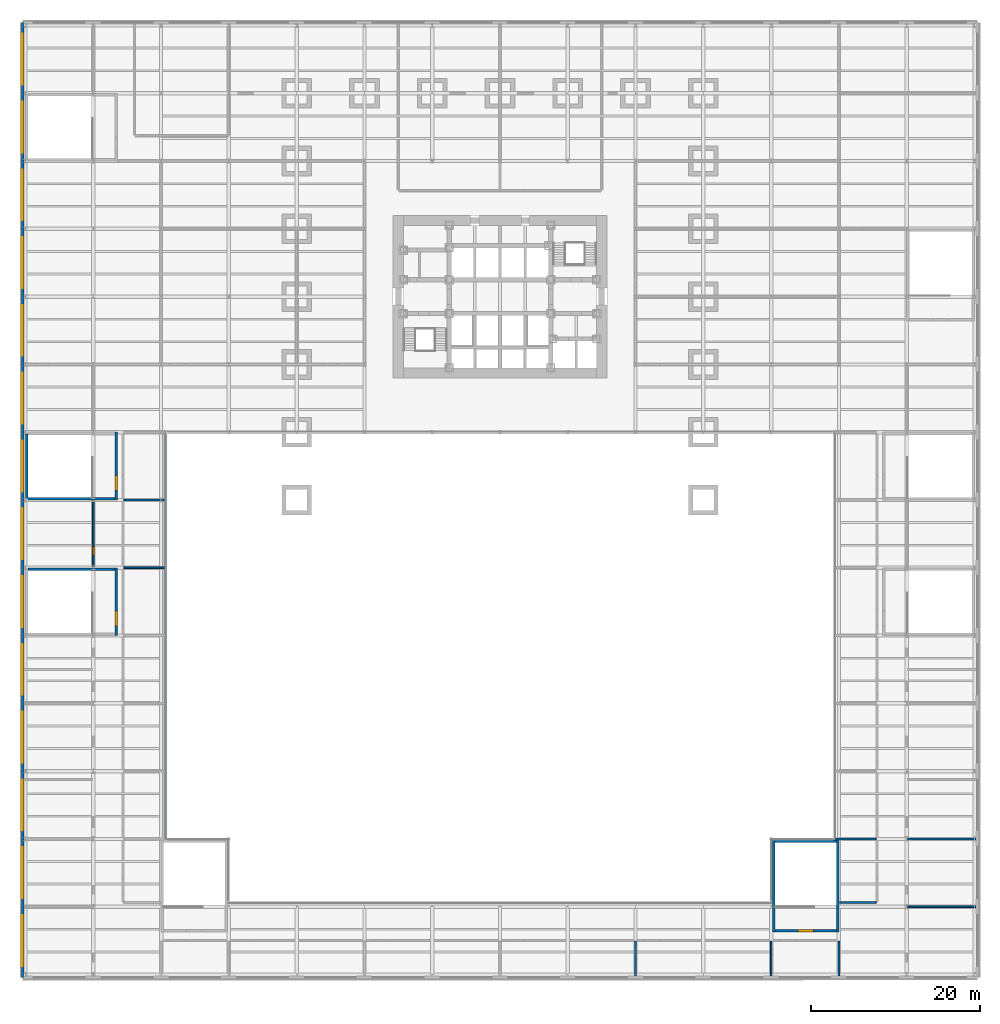
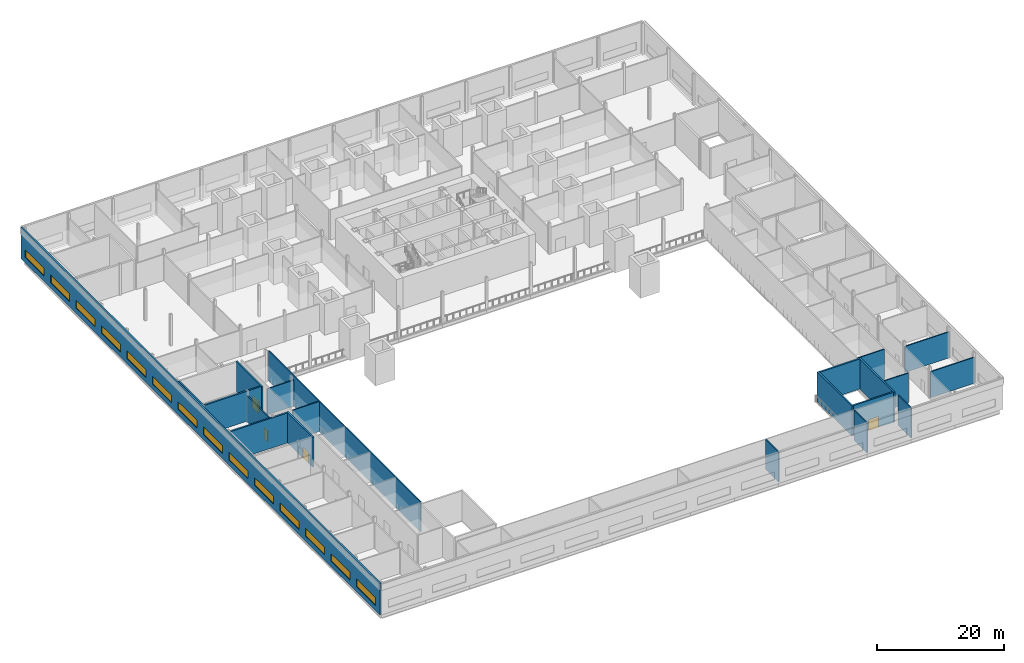
# One storey, part 12 of 21: 21 walls, 14 windows, 4 doors, 18 openings.
"""IFC4 building model written with IfcOpenShell, lengths in metres."""

from ifc_helpers import new_model, si_unit, direction, frame, frame_2d, origin, place, context, subcontext, project, spatial, rectangle, extrude, material, layer, layer_set, type_object, element, fill, save


model = new_model("IFC4")

# Units and contexts
model_context = context("Model", 3, precision=1e-05, world=origin(), true_north=direction((0.0, 1.0)))
body_context = subcontext(model_context, "Body", "Model", "MODEL_VIEW")
ifc_project = project(units=[si_unit("LENGTHUNIT", "METRE"), si_unit("AREAUNIT", "SQUARE_METRE"), si_unit("VOLUMEUNIT", "CUBIC_METRE"), si_unit("PLANEANGLEUNIT", "RADIAN"), si_unit("MASSUNIT", "GRAM", prefix="KILO")], contexts=[model_context])

# Site, building, storey
site_placement = place(None, origin())
site = spatial("IfcSite", under=ifc_project, at=site_placement, CompositionType="ELEMENT")
building_placement = place(site_placement, origin())
building = spatial("IfcBuilding", under=site, at=building_placement, Name="Daluyong Arena Tower", CompositionType="ELEMENT")
storey_placement = place(building_placement, frame((0.0, 0.0, 19.89990234375)))
storey = spatial("IfcBuildingStorey", under=building, at=storey_placement, Name="L04", CompositionType="ELEMENT", Elevation=19.89990234375)

# Walls
ifc_material_1 = material(Name="Concrete block partition", Category="concrete")
ifc_layer_1 = layer(ifc_material_1, 0.199951171875)
ifc_layer_set_1 = layer_set([ifc_layer_1], Name="Concrete block partition")
wall_type_1 = type_object("IfcWallType", Name="Partition 200", PredefinedType="PARTITIONING", material=ifc_layer_set_1)
wall_1_placement = place(storey_placement, frame((104.10009765625, 8.0, 0.0), z_axis=(0.0, 0.0, 1.0), x_axis=(1.0, 0.0, 0.0)))
element("IfcWall", 1, at=wall_1_placement, inside=storey, type_object=wall_type_1, Name="partition at L04", PredefinedType="PARTITIONING", context=body_context, shape_type="SweptSolid", body=[
    extrude(rectangle(XDim=8.0498046875, YDim=0.199951171875, at=frame_2d((4.02490234375, 0.0))), origin(), (0.0, 0.0, 1.0), 4.977783203125),
])
wall_2_placement = place(storey_placement, frame((96.10009765625, 8.5, 0.0), z_axis=(0.0, 0.0, 1.0), x_axis=(1.0, 0.0, 0.0)))
element("IfcWall", 2, at=wall_2_placement, inside=storey, type_object=wall_type_1, Name="partition at L04", PredefinedType="PARTITIONING", context=body_context, shape_type="SweptSolid", body=[
    extrude(rectangle(XDim=4.2998046875, YDim=0.199951171875, at=frame_2d((2.14990234375, 0.0))), origin(), (0.0, 0.0, 1.0), 5.75),
])
wall_3_placement = place(storey_placement, frame((95.60009765625, 16.0, 0.0), z_axis=(0.0, 0.0, 1.0), x_axis=(1.0, 0.0, 0.0)))
element("IfcWall", 3, at=wall_3_placement, inside=storey, type_object=wall_type_1, Name="partition at L04", PredefinedType="PARTITIONING", context=body_context, shape_type="SweptSolid", body=[
    extrude(rectangle(XDim=4.7998046875, YDim=0.199951171875, at=frame_2d((2.39990234375, 0.0))), origin(), (0.0, 0.0, 1.0), 5.75),
])
wall_4_placement = place(storey_placement, frame((104.10009765625, 16.0, 0.0), z_axis=(0.0, 0.0, 1.0), x_axis=(1.0, 0.0, 0.0)))
element("IfcWall", 4, at=wall_4_placement, inside=storey, type_object=wall_type_1, Name="partition at L04", PredefinedType="PARTITIONING", context=body_context, shape_type="SweptSolid", body=[
    extrude(rectangle(XDim=8.0498046875, YDim=0.199951171875, at=frame_2d((4.02490234375, 0.0))), origin(), (0.0, 0.0, 1.0), 4.977783203125),
])
wall_5_placement = place(storey_placement, frame((11.60009765625, 48.0, 0.0), z_axis=(0.0, 0.0, 1.0), x_axis=(1.0, 0.0, 0.0)))
element("IfcWall", 5, at=wall_5_placement, inside=storey, type_object=wall_type_1, Name="partition at L04", PredefinedType="PARTITIONING", context=body_context, shape_type="SweptSolid", body=[
    extrude(rectangle(XDim=4.7998046875, YDim=0.199951171875, at=frame_2d((2.39990234375, 0.0))), origin(), (0.0, 0.0, 1.0), 5.75),
])
wall_6_placement = place(storey_placement, frame((11.60009765625, 56.0, 0.0), z_axis=(0.0, 0.0, 1.0), x_axis=(1.0, 0.0, 0.0)))
element("IfcWall", 6, at=wall_6_placement, inside=storey, type_object=wall_type_1, Name="partition at L04", PredefinedType="PARTITIONING", context=body_context, shape_type="SweptSolid", body=[
    extrude(rectangle(XDim=4.7998046875, YDim=0.199951171875, at=frame_2d((2.39990234375, 0.0))), origin(), (0.0, 0.0, 1.0), 4.977783203125),
])

# Wall, opening, door
wall_7_placement = place(storey_placement, frame((8.0, 48.10009765625, 0.0), z_axis=(0.0, 0.0, 1.0), x_axis=(0.0, 1.0, 0.0)))
wall_7 = element("IfcWall", 7, at=wall_7_placement, inside=storey, type_object=wall_type_1, Name="partition at L04", PredefinedType="PARTITIONING", context=body_context, shape_type="SweptSolid", body=[
    extrude(rectangle(XDim=7.7998046875, YDim=0.199951171875, at=frame_2d((3.89990234375, 0.0))), origin(), (0.0, 0.0, 1.0), 4.977783203125),
])
opening_1_placement = place(wall_7_placement, frame((1.39990234375, 0.0, 0.0)))
opening_1 = element("IfcOpeningElement", 8, at=opening_1_placement, cuts=wall_7, Name="Opening 04033", PredefinedType="OPENING", context=body_context, shape_type="SweptSolid", body=[
    extrude(rectangle(XDim=1.0, YDim=2.10009765625, at=frame_2d((0.5, 1.050048828125))), frame((0.0, 0.10986328125, 0.0), z_axis=(0.0, -1.0, 0.0), x_axis=(1.0, 0.0, 0.0)), (0.0, 0.0, 1.0), 0.219970703125),
])
ifc_material_2 = material(Name="Timber door", Category="wood")
door_type_1 = type_object("IfcDoorType", Name="Room door 1000", OperationType="SINGLE_SWING_LEFT", PredefinedType="DOOR", material=ifc_material_2)
door_1_placement = place(opening_1_placement, origin())
door_1 = element("IfcDoor", 9, at=door_1_placement, inside=storey, type_object=door_type_1, Name="food and beverage kiosk door 04033", OperationType="SINGLE_SWING_LEFT", OverallHeight=2.10009765625, OverallWidth=1.0, PredefinedType="DOOR", context=body_context, shape_type="SweptSolid", body=[
    extrude(rectangle(XDim=1.0, YDim=2.10009765625, at=frame_2d((0.5, 1.050048828125))), frame((0.0, 0.099609375, 0.0), z_axis=(0.0, -1.0, 0.0), x_axis=(1.0, 0.0, 0.0)), (0.0, 0.0, 1.0), 0.199462890625),
])
fill(opening_1, door_1)

# Walls
wall_8_placement = place(storey_placement, frame((16.5, 16.10009765625, 0.0), z_axis=(0.0, 0.0, 1.0), x_axis=(0.0, 1.0, 0.0)))
element("IfcWall", 10, at=wall_8_placement, inside=storey, type_object=wall_type_1, Name="partition at L04", PredefinedType="PARTITIONING", context=body_context, shape_type="SweptSolid", body=[
    extrude(rectangle(XDim=47.7998046875, YDim=0.199951171875, at=frame_2d((23.89990234375, 0.0))), origin(), (0.0, 0.0, 1.0), 5.75),
])
for number, where, z_axis, x_axis, name in (
    (11, (72.0, -0.14990234375, 0.0), (0.0, 0.0, 1.0), (0.0, 1.0, 0.0), "partition at L04"),
    (12, (88.0, -0.14990234375, 0.0), (0.0, 0.0, 1.0), (0.0, 1.0, 0.0), "partition at L04"),
    (13, (96.0, -0.14990234375, 0.0), (0.0, 0.0, 1.0), (0.0, 1.0, 0.0), "partition at L04"),
):
    element("IfcWall", number, at=place(storey_placement, frame(where, z_axis=z_axis, x_axis=x_axis)), inside=storey, type_object=wall_type_1, Name=name, PredefinedType="PARTITIONING", context=body_context, shape_type="SweptSolid", body=[
        extrude(rectangle(XDim=4.0498046875, YDim=0.199951171875, at=frame_2d((2.02490234375, 0.0))), origin(), (0.0, 0.0, 1.0), 5.75),
    ])

# Wall, openings, windows
ifc_material_3 = material(Name="Precast concrete fc' 45 MPa", Category="concrete")
ifc_layer_2 = layer(ifc_material_3, 0.300048828125)
ifc_layer_set_2 = layer_set([ifc_layer_2], Name="Precast concrete fc' 45 MPa")
wall_type_2 = type_object("IfcWallType", Name="Podium precast band wall 300", PredefinedType="SOLIDWALL", material=ifc_layer_set_2)
wall_9_placement = place(storey_placement, frame((-0.35009765625, 112.35009765625, 0.0), z_axis=(0.0, 0.0, 1.0), x_axis=(0.0, -1.0, 0.0)))
wall_9 = element("IfcWall", 14, at=wall_9_placement, inside=storey, type_object=wall_type_2, Name="podium wall W L04", PredefinedType="SOLIDWALL", context=body_context, shape_type="SweptSolid", body=[
    extrude(rectangle(XDim=112.7001953125, YDim=0.300048828125, at=frame_2d((56.35009765625, 0.0))), origin(), (0.0, 0.0, 1.0), 6.0),
])
opening_2_placement = place(wall_9_placement, frame((1.35009765625, 0.0, 1.0)))
opening_2 = element("IfcOpeningElement", 15, at=opening_2_placement, cuts=wall_9, Name="Opening W1", PredefinedType="OPENING", context=body_context, shape_type="SweptSolid", body=[
    extrude(rectangle(XDim=6.0, YDim=1.5, at=frame_2d((3.0, 0.75))), frame((0.0, 0.159912109375, 0.0), z_axis=(0.0, -1.0, 0.0), x_axis=(1.0, 0.0, 0.0)), (0.0, 0.0, 1.0), 0.320068359375),
])
opening_3_placement = place(wall_9_placement, frame((9.35009765625, 0.0, 1.0)))
opening_3 = element("IfcOpeningElement", 16, at=opening_3_placement, cuts=wall_9, Name="Opening W1", PredefinedType="OPENING", context=body_context, shape_type="SweptSolid", body=[
    extrude(rectangle(XDim=6.0, YDim=1.5, at=frame_2d((3.0, 0.75))), frame((0.0, 0.159912109375, 0.0), z_axis=(0.0, -1.0, 0.0), x_axis=(1.0, 0.0, 0.0)), (0.0, 0.0, 1.0), 0.320068359375),
])
opening_4_placement = place(wall_9_placement, frame((17.35009765625, 0.0, 1.0)))
opening_4 = element("IfcOpeningElement", 17, at=opening_4_placement, cuts=wall_9, Name="Opening W1", PredefinedType="OPENING", context=body_context, shape_type="SweptSolid", body=[
    extrude(rectangle(XDim=6.0, YDim=1.5, at=frame_2d((3.0, 0.75))), frame((0.0, 0.159912109375, 0.0), z_axis=(0.0, -1.0, 0.0), x_axis=(1.0, 0.0, 0.0)), (0.0, 0.0, 1.0), 0.320068359375),
])
opening_5_placement = place(wall_9_placement, frame((25.35009765625, 0.0, 1.0)))
opening_5 = element("IfcOpeningElement", 18, at=opening_5_placement, cuts=wall_9, Name="Opening W1", PredefinedType="OPENING", context=body_context, shape_type="SweptSolid", body=[
    extrude(rectangle(XDim=6.0, YDim=1.5, at=frame_2d((3.0, 0.75))), frame((0.0, 0.159912109375, 0.0), z_axis=(0.0, -1.0, 0.0), x_axis=(1.0, 0.0, 0.0)), (0.0, 0.0, 1.0), 0.320068359375),
])
opening_6_placement = place(wall_9_placement, frame((33.35009765625, 0.0, 1.0)))
opening_6 = element("IfcOpeningElement", 19, at=opening_6_placement, cuts=wall_9, Name="Opening W1", PredefinedType="OPENING", context=body_context, shape_type="SweptSolid", body=[
    extrude(rectangle(XDim=6.0, YDim=1.5, at=frame_2d((3.0, 0.75))), frame((0.0, 0.159912109375, 0.0), z_axis=(0.0, -1.0, 0.0), x_axis=(1.0, 0.0, 0.0)), (0.0, 0.0, 1.0), 0.320068359375),
])
opening_7_placement = place(wall_9_placement, frame((41.35009765625, 0.0, 1.0)))
opening_7 = element("IfcOpeningElement", 20, at=opening_7_placement, cuts=wall_9, Name="Opening W1", PredefinedType="OPENING", context=body_context, shape_type="SweptSolid", body=[
    extrude(rectangle(XDim=6.0, YDim=1.5, at=frame_2d((3.0, 0.75))), frame((0.0, 0.159912109375, 0.0), z_axis=(0.0, -1.0, 0.0), x_axis=(1.0, 0.0, 0.0)), (0.0, 0.0, 1.0), 0.320068359375),
])
opening_8_placement = place(wall_9_placement, frame((49.35009765625, 0.0, 1.0)))
opening_8 = element("IfcOpeningElement", 21, at=opening_8_placement, cuts=wall_9, Name="Opening W1", PredefinedType="OPENING", context=body_context, shape_type="SweptSolid", body=[
    extrude(rectangle(XDim=6.0, YDim=1.5, at=frame_2d((3.0, 0.75))), frame((0.0, 0.159912109375, 0.0), z_axis=(0.0, -1.0, 0.0), x_axis=(1.0, 0.0, 0.0)), (0.0, 0.0, 1.0), 0.320068359375),
])
opening_9_placement = place(wall_9_placement, frame((57.35009765625, 0.0, 1.0)))
opening_9 = element("IfcOpeningElement", 22, at=opening_9_placement, cuts=wall_9, Name="Opening W1", PredefinedType="OPENING", context=body_context, shape_type="SweptSolid", body=[
    extrude(rectangle(XDim=6.0, YDim=1.5, at=frame_2d((3.0, 0.75))), frame((0.0, 0.159912109375, 0.0), z_axis=(0.0, -1.0, 0.0), x_axis=(1.0, 0.0, 0.0)), (0.0, 0.0, 1.0), 0.320068359375),
])
opening_10_placement = place(wall_9_placement, frame((65.35009765625, 0.0, 1.0)))
opening_10 = element("IfcOpeningElement", 23, at=opening_10_placement, cuts=wall_9, Name="Opening W1", PredefinedType="OPENING", context=body_context, shape_type="SweptSolid", body=[
    extrude(rectangle(XDim=6.0, YDim=1.5, at=frame_2d((3.0, 0.75))), frame((0.0, 0.159912109375, 0.0), z_axis=(0.0, -1.0, 0.0), x_axis=(1.0, 0.0, 0.0)), (0.0, 0.0, 1.0), 0.320068359375),
])
opening_11_placement = place(wall_9_placement, frame((73.35009765625, 0.0, 1.0)))
opening_11 = element("IfcOpeningElement", 24, at=opening_11_placement, cuts=wall_9, Name="Opening W1", PredefinedType="OPENING", context=body_context, shape_type="SweptSolid", body=[
    extrude(rectangle(XDim=6.0, YDim=1.5, at=frame_2d((3.0, 0.75))), frame((0.0, 0.159912109375, 0.0), z_axis=(0.0, -1.0, 0.0), x_axis=(1.0, 0.0, 0.0)), (0.0, 0.0, 1.0), 0.320068359375),
])
opening_12_placement = place(wall_9_placement, frame((81.35009765625, 0.0, 1.0)))
opening_12 = element("IfcOpeningElement", 25, at=opening_12_placement, cuts=wall_9, Name="Opening W1", PredefinedType="OPENING", context=body_context, shape_type="SweptSolid", body=[
    extrude(rectangle(XDim=6.0, YDim=1.5, at=frame_2d((3.0, 0.75))), frame((0.0, 0.159912109375, 0.0), z_axis=(0.0, -1.0, 0.0), x_axis=(1.0, 0.0, 0.0)), (0.0, 0.0, 1.0), 0.320068359375),
])
opening_13_placement = place(wall_9_placement, frame((89.35009765625, 0.0, 1.0)))
opening_13 = element("IfcOpeningElement", 26, at=opening_13_placement, cuts=wall_9, Name="Opening W1", PredefinedType="OPENING", context=body_context, shape_type="SweptSolid", body=[
    extrude(rectangle(XDim=6.0, YDim=1.5, at=frame_2d((3.0, 0.75))), frame((0.0, 0.159912109375, 0.0), z_axis=(0.0, -1.0, 0.0), x_axis=(1.0, 0.0, 0.0)), (0.0, 0.0, 1.0), 0.320068359375),
])
opening_14_placement = place(wall_9_placement, frame((97.35009765625, 0.0, 1.0)))
opening_14 = element("IfcOpeningElement", 27, at=opening_14_placement, cuts=wall_9, Name="Opening W1", PredefinedType="OPENING", context=body_context, shape_type="SweptSolid", body=[
    extrude(rectangle(XDim=6.0, YDim=1.5, at=frame_2d((3.0, 0.75))), frame((0.0, 0.159912109375, 0.0), z_axis=(0.0, -1.0, 0.0), x_axis=(1.0, 0.0, 0.0)), (0.0, 0.0, 1.0), 0.320068359375),
])
opening_15_placement = place(wall_9_placement, frame((105.35009765625, 0.0, 1.0)))
opening_15 = element("IfcOpeningElement", 28, at=opening_15_placement, cuts=wall_9, Name="Opening W1", PredefinedType="OPENING", context=body_context, shape_type="SweptSolid", body=[
    extrude(rectangle(XDim=6.0, YDim=1.5, at=frame_2d((3.0, 0.75))), frame((0.0, 0.159912109375, 0.0), z_axis=(0.0, -1.0, 0.0), x_axis=(1.0, 0.0, 0.0)), (0.0, 0.0, 1.0), 0.320068359375),
])
ifc_material_4 = material(Name="Bronze aluminium window, tinted glass", Category="aluminium")
window_type = type_object("IfcWindowType", Name="Ribbon window 6000x1500", PartitioningType="TRIPLE_PANEL_HORIZONTAL", PredefinedType="WINDOW", material=ifc_material_4)
window_1_placement = place(opening_2_placement, origin())
window_1 = element("IfcWindow", 29, at=window_1_placement, inside=storey, type_object=window_type, Name="ribbon window W", OverallHeight=1.5, OverallWidth=6.0, PartitioningType="SINGLE_PANEL", PredefinedType="WINDOW", context=body_context, shape_type="SweptSolid", body=[
    extrude(rectangle(XDim=6.0, YDim=1.5, at=frame_2d((3.0, 0.75))), frame((0.0, 0.030029296875, 0.0), z_axis=(0.0, -1.0, 0.0), x_axis=(1.0, 0.0, 0.0)), (0.0, 0.0, 1.0), 0.06005859375),
])
fill(opening_2, window_1)
window_2_placement = place(opening_3_placement, origin())
window_2 = element("IfcWindow", 30, at=window_2_placement, inside=storey, type_object=window_type, Name="ribbon window W", OverallHeight=1.5, OverallWidth=6.0, PartitioningType="SINGLE_PANEL", PredefinedType="WINDOW", context=body_context, shape_type="SweptSolid", body=[
    extrude(rectangle(XDim=6.0, YDim=1.5, at=frame_2d((3.0, 0.75))), frame((0.0, 0.030029296875, 0.0), z_axis=(0.0, -1.0, 0.0), x_axis=(1.0, 0.0, 0.0)), (0.0, 0.0, 1.0), 0.06005859375),
])
fill(opening_3, window_2)
window_3_placement = place(opening_4_placement, origin())
window_3 = element("IfcWindow", 31, at=window_3_placement, inside=storey, type_object=window_type, Name="ribbon window W", OverallHeight=1.5, OverallWidth=6.0, PartitioningType="SINGLE_PANEL", PredefinedType="WINDOW", context=body_context, shape_type="SweptSolid", body=[
    extrude(rectangle(XDim=6.0, YDim=1.5, at=frame_2d((3.0, 0.75))), frame((0.0, 0.030029296875, 0.0), z_axis=(0.0, -1.0, 0.0), x_axis=(1.0, 0.0, 0.0)), (0.0, 0.0, 1.0), 0.06005859375),
])
fill(opening_4, window_3)
window_4_placement = place(opening_5_placement, origin())
window_4 = element("IfcWindow", 32, at=window_4_placement, inside=storey, type_object=window_type, Name="ribbon window W", OverallHeight=1.5, OverallWidth=6.0, PartitioningType="SINGLE_PANEL", PredefinedType="WINDOW", context=body_context, shape_type="SweptSolid", body=[
    extrude(rectangle(XDim=6.0, YDim=1.5, at=frame_2d((3.0, 0.75))), frame((0.0, 0.030029296875, 0.0), z_axis=(0.0, -1.0, 0.0), x_axis=(1.0, 0.0, 0.0)), (0.0, 0.0, 1.0), 0.06005859375),
])
fill(opening_5, window_4)
window_5_placement = place(opening_6_placement, origin())
window_5 = element("IfcWindow", 33, at=window_5_placement, inside=storey, type_object=window_type, Name="ribbon window W", OverallHeight=1.5, OverallWidth=6.0, PartitioningType="SINGLE_PANEL", PredefinedType="WINDOW", context=body_context, shape_type="SweptSolid", body=[
    extrude(rectangle(XDim=6.0, YDim=1.5, at=frame_2d((3.0, 0.75))), frame((0.0, 0.030029296875, 0.0), z_axis=(0.0, -1.0, 0.0), x_axis=(1.0, 0.0, 0.0)), (0.0, 0.0, 1.0), 0.06005859375),
])
fill(opening_6, window_5)
window_6_placement = place(opening_7_placement, origin())
window_6 = element("IfcWindow", 34, at=window_6_placement, inside=storey, type_object=window_type, Name="ribbon window W", OverallHeight=1.5, OverallWidth=6.0, PartitioningType="SINGLE_PANEL", PredefinedType="WINDOW", context=body_context, shape_type="SweptSolid", body=[
    extrude(rectangle(XDim=6.0, YDim=1.5, at=frame_2d((3.0, 0.75))), frame((0.0, 0.030029296875, 0.0), z_axis=(0.0, -1.0, 0.0), x_axis=(1.0, 0.0, 0.0)), (0.0, 0.0, 1.0), 0.06005859375),
])
fill(opening_7, window_6)
window_7_placement = place(opening_8_placement, origin())
window_7 = element("IfcWindow", 35, at=window_7_placement, inside=storey, type_object=window_type, Name="ribbon window W", OverallHeight=1.5, OverallWidth=6.0, PartitioningType="SINGLE_PANEL", PredefinedType="WINDOW", context=body_context, shape_type="SweptSolid", body=[
    extrude(rectangle(XDim=6.0, YDim=1.5, at=frame_2d((3.0, 0.75))), frame((0.0, 0.030029296875, 0.0), z_axis=(0.0, -1.0, 0.0), x_axis=(1.0, 0.0, 0.0)), (0.0, 0.0, 1.0), 0.06005859375),
])
fill(opening_8, window_7)
window_8_placement = place(opening_9_placement, origin())
window_8 = element("IfcWindow", 36, at=window_8_placement, inside=storey, type_object=window_type, Name="ribbon window W", OverallHeight=1.5, OverallWidth=6.0, PartitioningType="SINGLE_PANEL", PredefinedType="WINDOW", context=body_context, shape_type="SweptSolid", body=[
    extrude(rectangle(XDim=6.0, YDim=1.5, at=frame_2d((3.0, 0.75))), frame((0.0, 0.030029296875, 0.0), z_axis=(0.0, -1.0, 0.0), x_axis=(1.0, 0.0, 0.0)), (0.0, 0.0, 1.0), 0.06005859375),
])
fill(opening_9, window_8)
window_9_placement = place(opening_10_placement, origin())
window_9 = element("IfcWindow", 37, at=window_9_placement, inside=storey, type_object=window_type, Name="ribbon window W", OverallHeight=1.5, OverallWidth=6.0, PartitioningType="SINGLE_PANEL", PredefinedType="WINDOW", context=body_context, shape_type="SweptSolid", body=[
    extrude(rectangle(XDim=6.0, YDim=1.5, at=frame_2d((3.0, 0.75))), frame((0.0, 0.030029296875, 0.0), z_axis=(0.0, -1.0, 0.0), x_axis=(1.0, 0.0, 0.0)), (0.0, 0.0, 1.0), 0.06005859375),
])
fill(opening_10, window_9)
window_10_placement = place(opening_11_placement, origin())
window_10 = element("IfcWindow", 38, at=window_10_placement, inside=storey, type_object=window_type, Name="ribbon window W", OverallHeight=1.5, OverallWidth=6.0, PartitioningType="SINGLE_PANEL", PredefinedType="WINDOW", context=body_context, shape_type="SweptSolid", body=[
    extrude(rectangle(XDim=6.0, YDim=1.5, at=frame_2d((3.0, 0.75))), frame((0.0, 0.030029296875, 0.0), z_axis=(0.0, -1.0, 0.0), x_axis=(1.0, 0.0, 0.0)), (0.0, 0.0, 1.0), 0.06005859375),
])
fill(opening_11, window_10)
window_11_placement = place(opening_12_placement, origin())
window_11 = element("IfcWindow", 39, at=window_11_placement, inside=storey, type_object=window_type, Name="ribbon window W", OverallHeight=1.5, OverallWidth=6.0, PartitioningType="SINGLE_PANEL", PredefinedType="WINDOW", context=body_context, shape_type="SweptSolid", body=[
    extrude(rectangle(XDim=6.0, YDim=1.5, at=frame_2d((3.0, 0.75))), frame((0.0, 0.030029296875, 0.0), z_axis=(0.0, -1.0, 0.0), x_axis=(1.0, 0.0, 0.0)), (0.0, 0.0, 1.0), 0.06005859375),
])
fill(opening_12, window_11)
window_12_placement = place(opening_13_placement, origin())
window_12 = element("IfcWindow", 40, at=window_12_placement, inside=storey, type_object=window_type, Name="ribbon window W", OverallHeight=1.5, OverallWidth=6.0, PartitioningType="SINGLE_PANEL", PredefinedType="WINDOW", context=body_context, shape_type="SweptSolid", body=[
    extrude(rectangle(XDim=6.0, YDim=1.5, at=frame_2d((3.0, 0.75))), frame((0.0, 0.030029296875, 0.0), z_axis=(0.0, -1.0, 0.0), x_axis=(1.0, 0.0, 0.0)), (0.0, 0.0, 1.0), 0.06005859375),
])
fill(opening_13, window_12)
window_13_placement = place(opening_14_placement, origin())
window_13 = element("IfcWindow", 41, at=window_13_placement, inside=storey, type_object=window_type, Name="ribbon window W", OverallHeight=1.5, OverallWidth=6.0, PartitioningType="SINGLE_PANEL", PredefinedType="WINDOW", context=body_context, shape_type="SweptSolid", body=[
    extrude(rectangle(XDim=6.0, YDim=1.5, at=frame_2d((3.0, 0.75))), frame((0.0, 0.030029296875, 0.0), z_axis=(0.0, -1.0, 0.0), x_axis=(1.0, 0.0, 0.0)), (0.0, 0.0, 1.0), 0.06005859375),
])
fill(opening_14, window_13)
window_14_placement = place(opening_15_placement, origin())
window_14 = element("IfcWindow", 42, at=window_14_placement, inside=storey, type_object=window_type, Name="ribbon window W", OverallHeight=1.5, OverallWidth=6.0, PartitioningType="SINGLE_PANEL", PredefinedType="WINDOW", context=body_context, shape_type="SweptSolid", body=[
    extrude(rectangle(XDim=6.0, YDim=1.5, at=frame_2d((3.0, 0.75))), frame((0.0, 0.030029296875, 0.0), z_axis=(0.0, -1.0, 0.0), x_axis=(1.0, 0.0, 0.0)), (0.0, 0.0, 1.0), 0.06005859375),
])
fill(opening_15, window_14)

# Walls
ifc_material_5 = material(Name="Concrete fc' 35 MPa", Category="concrete")
ifc_layer_3 = layer(ifc_material_5, 0.300048828125)
ifc_layer_set_3 = layer_set([ifc_layer_3], Name="Concrete fc' 35 MPa")
wall_type_3 = type_object("IfcWallType", Name="Stair enclosure wall 300", PredefinedType="SOLIDWALL", material=ifc_layer_set_3)
for number, where, z_axis, x_axis, name in (
    (43, (88.300048828125, 5.0, 0.0), (0.0, 0.0, 1.0), (0.0, 1.0, 0.0), "exit stair PS2 enclosure"),
    (44, (95.85009765625, 5.0, 0.0), (0.0, 0.0, 1.0), (0.0, 1.0, 0.0), "exit stair PS2 enclosure"),
):
    element("IfcWall", number, at=place(storey_placement, frame(where, z_axis=z_axis, x_axis=x_axis)), inside=storey, type_object=wall_type_3, Name=name, PredefinedType="SOLIDWALL", context=body_context, shape_type="SweptSolid", body=[
        extrude(rectangle(XDim=10.85009765625, YDim=0.300048828125, at=frame_2d((5.425048828125, 0.0))), origin(), (0.0, 0.0, 1.0), 5.75),
    ])

# Wall, opening, door
wall_10_placement = place(storey_placement, frame((88.449951171875, 5.14990234375, 0.0), z_axis=(0.0, 0.0, 1.0), x_axis=(1.0, 0.0, 0.0)))
wall_10 = element("IfcWall", 45, at=wall_10_placement, inside=storey, type_object=wall_type_3, Name="exit stair PS2 enclosure", PredefinedType="SOLIDWALL", context=body_context, shape_type="SweptSolid", body=[
    extrude(rectangle(XDim=7.25, YDim=0.300048828125, at=frame_2d((3.625, 0.0))), origin(), (0.0, 0.0, 1.0), 5.75),
])
opening_16_placement = place(wall_10_placement, frame((2.72509765625, 0.0, 0.0)))
opening_16 = element("IfcOpeningElement", 46, at=opening_16_placement, cuts=wall_10, Name="Opening 04016", PredefinedType="OPENING", context=body_context, shape_type="SweptSolid", body=[
    extrude(rectangle(XDim=1.800048828125, YDim=2.10009765625, at=frame_2d((0.89990234375, 1.050048828125))), frame((0.0, 0.159912109375, 0.0), z_axis=(0.0, -1.0, 0.0), x_axis=(1.0, 0.0, 0.0)), (0.0, 0.0, 1.0), 0.320068359375),
])
ifc_material_6 = material(Name="Steel door, fire rated", Category="steel")
door_type_2 = type_object("IfcDoorType", Name="Exit stair double door 1800", OperationType="DOUBLE_DOOR_SINGLE_SWING", PredefinedType="DOOR", material=ifc_material_6)
door_2_placement = place(opening_16_placement, origin())
door_2 = element("IfcDoor", 47, at=door_2_placement, inside=storey, type_object=door_type_2, Name="exit stair PS2 door 04016", OperationType="DOUBLE_DOOR_SINGLE_SWING", OverallHeight=2.10009765625, OverallWidth=1.800048828125, PredefinedType="DOOR", context=body_context, shape_type="SweptSolid", body=[
    extrude(rectangle(XDim=1.800048828125, YDim=2.10009765625, at=frame_2d((0.89990234375, 1.050048828125))), frame((0.0, 0.14990234375, 0.0), z_axis=(0.0, -1.0, 0.0), x_axis=(1.0, 0.0, 0.0)), (0.0, 0.0, 1.0), 0.299560546875),
])
fill(opening_16, door_2)

# Wall
wall_11_placement = place(storey_placement, frame((88.449951171875, 15.699951171875, 0.0), z_axis=(0.0, 0.0, 1.0), x_axis=(1.0, 0.0, 0.0)))
element("IfcWall", 48, at=wall_11_placement, inside=storey, type_object=wall_type_3, Name="exit stair PS2 enclosure", PredefinedType="SOLIDWALL", context=body_context, shape_type="SweptSolid", body=[
    extrude(rectangle(XDim=7.25, YDim=0.300048828125, at=frame_2d((3.625, 0.0))), origin(), (0.0, 0.0, 1.0), 5.75),
])

# Wall, opening, door
wall_12_placement = place(storey_placement, frame((10.699951171875, 40.0, 0.0), z_axis=(0.0, 0.0, 1.0), x_axis=(0.0, 1.0, 0.0)))
wall_12 = element("IfcWall", 49, at=wall_12_placement, inside=storey, type_object=wall_type_3, Name="exit stair PS3 enclosure", PredefinedType="SOLIDWALL", context=body_context, shape_type="SweptSolid", body=[
    extrude(rectangle(XDim=8.0, YDim=0.300048828125, at=frame_2d((4.0, 0.0))), origin(), (0.0, 0.0, 1.0), 5.75),
])
opening_17_placement = place(wall_12_placement, frame((1.10009765625, 0.0, 0.0)))
opening_17 = element("IfcOpeningElement", 50, at=opening_17_placement, cuts=wall_12, Name="Opening 04017", PredefinedType="OPENING", context=body_context, shape_type="SweptSolid", body=[
    extrude(rectangle(XDim=1.800048828125, YDim=2.10009765625, at=frame_2d((0.89990234375, 1.050048828125))), frame((0.0, 0.159912109375, 0.0), z_axis=(0.0, -1.0, 0.0), x_axis=(1.0, 0.0, 0.0)), (0.0, 0.0, 1.0), 0.320068359375),
])
door_3_placement = place(opening_17_placement, origin())
door_3 = element("IfcDoor", 51, at=door_3_placement, inside=storey, type_object=door_type_2, Name="exit stair PS3 door 04017", OperationType="DOUBLE_DOOR_SINGLE_SWING", OverallHeight=2.10009765625, OverallWidth=1.800048828125, PredefinedType="DOOR", context=body_context, shape_type="SweptSolid", body=[
    extrude(rectangle(XDim=1.800048828125, YDim=2.10009765625, at=frame_2d((0.89990234375, 1.050048828125))), frame((0.0, 0.14990234375, 0.0), z_axis=(0.0, -1.0, 0.0), x_axis=(1.0, 0.0, 0.0)), (0.0, 0.0, 1.0), 0.299560546875),
])
fill(opening_17, door_3)

# Walls
wall_13_placement = place(storey_placement, frame((0.300048828125, 47.85009765625, 0.0), z_axis=(0.0, 0.0, 1.0), x_axis=(1.0, 0.0, 0.0)))
element("IfcWall", 52, at=wall_13_placement, inside=storey, type_object=wall_type_3, Name="exit stair PS3 enclosure", PredefinedType="SOLIDWALL", context=body_context, shape_type="SweptSolid", body=[
    extrude(rectangle(XDim=10.25, YDim=0.300048828125, at=frame_2d((5.125, 0.0))), origin(), (0.0, 0.0, 1.0), 5.75),
])
wall_14_placement = place(storey_placement, frame((0.14990234375, 56.193115234375, 0.0), z_axis=(0.0, 0.0, 1.0), x_axis=(0.0, 1.0, 0.0)))
element("IfcWall", 53, at=wall_14_placement, inside=storey, type_object=wall_type_3, Name="exit stair PS7 enclosure", PredefinedType="SOLIDWALL", context=body_context, shape_type="SweptSolid", body=[
    extrude(rectangle(XDim=7.61376953125, YDim=0.300048828125, at=frame_2d((3.806884765625, 0.0))), origin(), (0.0, 0.0, 1.0), 5.75),
])

# Wall, opening, door
wall_15_placement = place(storey_placement, frame((10.699951171875, 56.0, 0.0), z_axis=(0.0, 0.0, 1.0), x_axis=(0.0, 1.0, 0.0)))
wall_15 = element("IfcWall", 54, at=wall_15_placement, inside=storey, type_object=wall_type_3, Name="exit stair PS7 enclosure", PredefinedType="SOLIDWALL", context=body_context, shape_type="SweptSolid", body=[
    extrude(rectangle(XDim=8.0, YDim=0.300048828125, at=frame_2d((4.0, 0.0))), origin(), (0.0, 0.0, 1.0), 5.75),
])
opening_18_placement = place(wall_15_placement, frame((1.10009765625, 0.0, 0.0)))
opening_18 = element("IfcOpeningElement", 55, at=opening_18_placement, cuts=wall_15, Name="Opening 04021", PredefinedType="OPENING", context=body_context, shape_type="SweptSolid", body=[
    extrude(rectangle(XDim=1.800048828125, YDim=2.10009765625, at=frame_2d((0.89990234375, 1.050048828125))), frame((0.0, 0.159912109375, 0.0), z_axis=(0.0, -1.0, 0.0), x_axis=(1.0, 0.0, 0.0)), (0.0, 0.0, 1.0), 0.320068359375),
])
door_4_placement = place(opening_18_placement, origin())
door_4 = element("IfcDoor", 56, at=door_4_placement, inside=storey, type_object=door_type_2, Name="exit stair PS7 door 04021", OperationType="DOUBLE_DOOR_SINGLE_SWING", OverallHeight=2.10009765625, OverallWidth=1.800048828125, PredefinedType="DOOR", context=body_context, shape_type="SweptSolid", body=[
    extrude(rectangle(XDim=1.800048828125, YDim=2.10009765625, at=frame_2d((0.89990234375, 1.050048828125))), frame((0.0, 0.14990234375, 0.0), z_axis=(0.0, -1.0, 0.0), x_axis=(1.0, 0.0, 0.0)), (0.0, 0.0, 1.0), 0.299560546875),
])
fill(opening_18, door_4)

# Wall
wall_16_placement = place(storey_placement, frame((0.300048828125, 56.14990234375, 0.0), z_axis=(0.0, 0.0, 1.0), x_axis=(1.0, 0.0, 0.0)))
element("IfcWall", 57, at=wall_16_placement, inside=storey, type_object=wall_type_3, Name="exit stair PS7 enclosure", PredefinedType="SOLIDWALL", context=body_context, shape_type="SweptSolid", body=[
    extrude(rectangle(XDim=10.25, YDim=0.300048828125, at=frame_2d((5.125, 0.0))), origin(), (0.0, 0.0, 1.0), 5.75),
])

save(model, "model.ifc")
